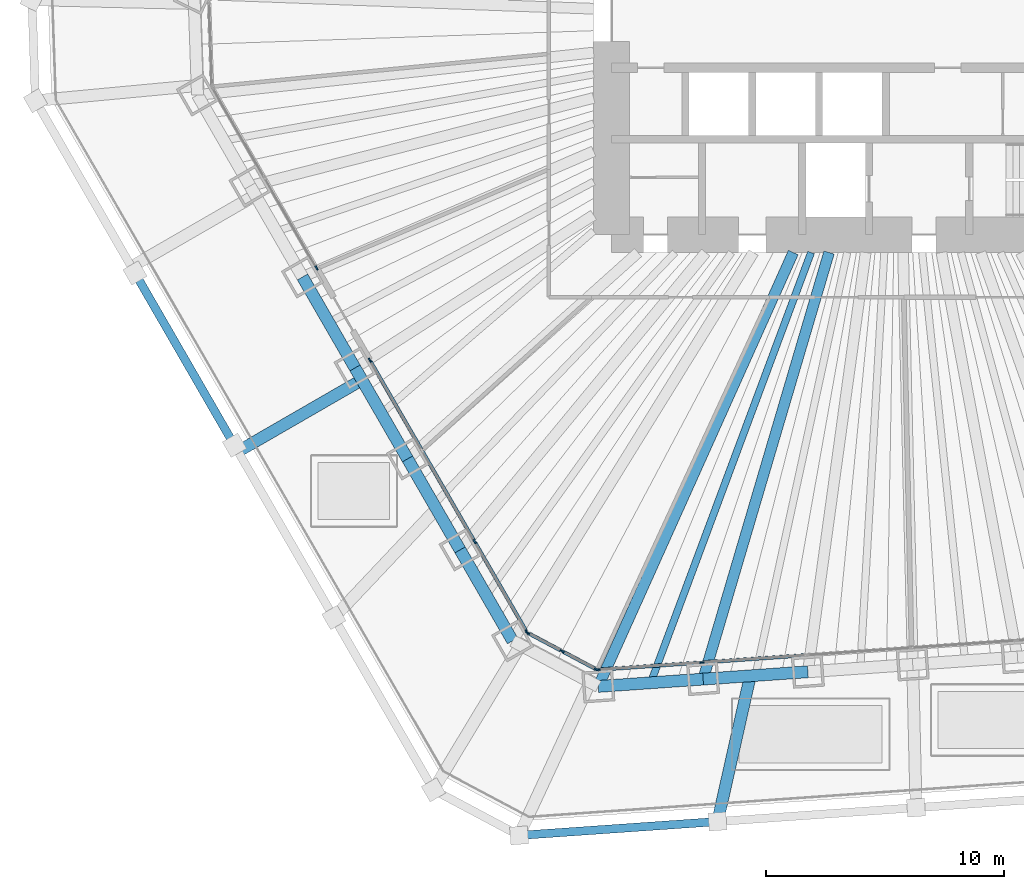
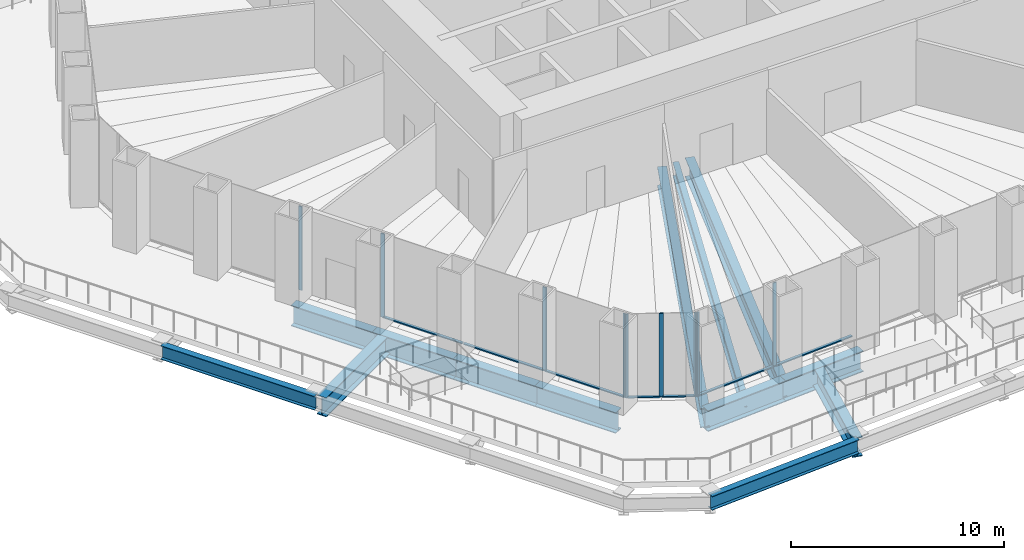
# One storey, part 2 of 20: 16 members, 13 beams, 4 elements without a shape of their own.
"""IFC4 building model written with IfcOpenShell, lengths in metres."""

from ifc_helpers import new_model, si_unit, direction, frame, origin, origin_2d, place, context, subcontext, project, spatial, rectangle, i_section, extrude, material, material_profile, profile_set, type_object, element, aggregate, save


model = new_model("IFC4")

# Units and contexts
model_context = context("Model", 3, precision=1e-05, world=origin(), true_north=direction((0.0, 1.0)))
body_context = subcontext(model_context, "Body", "Model", "MODEL_VIEW")
ifc_project = project(units=[si_unit("LENGTHUNIT", "METRE"), si_unit("AREAUNIT", "SQUARE_METRE"), si_unit("VOLUMEUNIT", "CUBIC_METRE"), si_unit("PLANEANGLEUNIT", "RADIAN"), si_unit("MASSUNIT", "GRAM", prefix="KILO")], contexts=[model_context])

# Site, building, storey
site_placement = place(None, origin())
site = spatial("IfcSite", under=ifc_project, at=site_placement, CompositionType="ELEMENT")
building_placement = place(site_placement, origin())
building = spatial("IfcBuilding", under=site, at=building_placement, Name="Qingtian Harvest Tower", CompositionType="ELEMENT")
storey_placement = place(building_placement, frame((0.0, 0.0, 17.0)))
storey = spatial("IfcBuildingStorey", under=building, at=storey_placement, Name="L03", CompositionType="ELEMENT", Elevation=17.0)

# Beams
ifc_material_1 = material(Name="Steel SM570MC", Category="steel")
ifc_material_profile_1 = material_profile(ifc_material_1, i_section(OverallWidth=0.449951171875, OverallDepth=1.10009765625, WebThickness=0.02197265625, FlangeThickness=0.044921875, at=origin_2d()), Name="H1100x450x22x45")
ifc_profile_set_1 = profile_set([ifc_material_profile_1], Name="Steel SM570MC")
beam_type_1 = type_object("IfcBeamType", Name="Corner floor beam FB8 H1100x450x22x45", PredefinedType="BEAM", material=ifc_profile_set_1)
beam_1_placement = place(storey_placement, frame((-12.552734375, -27.943603515625, -0.85009765625), z_axis=(0.409769605538, 0.912189054077, 0.0), x_axis=(-0.912189054077, 0.409769605538, 0.0)))
element("IfcBeam", 1, at=beam_1_placement, inside=storey, type_object=beam_type_1, Name="Floor beam FB8 S6", PredefinedType="BEAM", context=body_context, shape_type="SweptSolid", body=[
    extrude(i_section(OverallWidth=0.449951171875, OverallDepth=1.10009765625, WebThickness=0.02197265625, FlangeThickness=0.044921875, at=origin_2d()), origin(), (0.0, 0.0, 1.0), 19.945068359375),
])
ifc_material_2 = material(Name="Steel SM570MC", Category="steel")
ifc_material_profile_2 = material_profile(ifc_material_2, i_section(OverallWidth=0.449951171875, OverallDepth=1.10009765625, WebThickness=0.02197265625, FlangeThickness=0.044921875, at=origin_2d()), Name="H1100x450x22x45")
ifc_profile_set_2 = profile_set([ifc_material_profile_2], Name="Steel SM570MC")
beam_type_2 = type_object("IfcBeamType", Name="Floor beam FB1 H1100x450x22x45", PredefinedType="BEAM", material=ifc_profile_set_2)
beam_2_placement = place(storey_placement, frame((-8.158935546875, -27.636474609375, -0.85009765625), z_axis=(0.283142824758, 0.95907775534, 0.0), x_axis=(-0.95907775534, 0.283142824758, 0.0)))
element("IfcBeam", 2, at=beam_2_placement, inside=storey, type_object=beam_type_2, Name="Floor beam FB1 S5", PredefinedType="BEAM", context=body_context, shape_type="SweptSolid", body=[
    extrude(i_section(OverallWidth=0.449951171875, OverallDepth=1.10009765625, WebThickness=0.02197265625, FlangeThickness=0.044921875, at=origin_2d()), origin(), (0.0, 0.0, 1.0), 18.649658203125),
])
ifc_material_3 = material(Name="Steel SM570MC", Category="steel")
ifc_material_profile_3 = material_profile(ifc_material_3, i_section(OverallWidth=0.5, OverallDepth=1.10009765625, WebThickness=0.02490234375, FlangeThickness=0.050048828125, at=origin_2d()), Name="H1100x500x25x50")
ifc_profile_set_3 = profile_set([ifc_material_profile_3], Name="Steel SM570MC")
beam_type_3 = type_object("IfcBeamType", Name="Floor beam FB6 H1100x500x25x50", PredefinedType="BEAM", material=ifc_profile_set_3)
beam_3_placement = place(storey_placement, frame((-7.552978515625, -33.608642578125, -0.85009765625), z_axis=(0.219270091225, 0.975664197916, 0.0), x_axis=(-0.975664197916, 0.219270091225, 0.0)))
element("IfcBeam", 3, at=beam_3_placement, inside=storey, type_object=beam_type_3, Name="Podium floor beam FB6 S3", PredefinedType="BEAM", context=body_context, shape_type="SweptSolid", body=[
    extrude(i_section(OverallWidth=0.5, OverallDepth=1.10009765625, WebThickness=0.02490234375, FlangeThickness=0.050048828125, at=origin_2d()), origin(), (0.0, 0.0, 1.0), 6.262939453125),
])
beam_4_placement = place(storey_placement, frame((-27.66015625, -18.091064453125, -0.85009765625), z_axis=(0.866020924479, 0.500007758305, 0.0), x_axis=(-0.500007758305, 0.866020924479, 0.0)))
element("IfcBeam", 4, at=beam_4_placement, inside=storey, type_object=beam_type_3, Name="Podium floor beam FB6 SW2", PredefinedType="BEAM", context=body_context, shape_type="SweptSolid", body=[
    extrude(i_section(OverallWidth=0.5, OverallDepth=1.10009765625, WebThickness=0.02490234375, FlangeThickness=0.050048828125, at=origin_2d()), origin(), (0.0, 0.0, 1.0), 6.0),
])
ifc_material_4 = material(Name="Steel SN490B", Category="steel")
ifc_material_profile_4 = material_profile(ifc_material_4, i_section(OverallWidth=0.300048828125, OverallDepth=0.800048828125, WebThickness=0.013916015625, FlangeThickness=0.02587890625, at=origin_2d()), Name="H800x300x14x26")
ifc_profile_set_4 = profile_set([ifc_material_profile_4], Name="Steel SN490B")
beam_type_4 = type_object("IfcBeamType", Name="Floor joist J1 H800x300x14x26", PredefinedType="JOIST", material=ifc_profile_set_4)
beam_5_placement = place(storey_placement, frame((-10.35595703125, -27.7900390625, -0.699951171875), z_axis=(0.349193741063, 0.937050548905, 0.0), x_axis=(-0.937050548905, 0.349193741063, 0.0)))
element("IfcBeam", 5, at=beam_5_placement, inside=storey, type_object=beam_type_4, Name="Floor joist J1 S5", PredefinedType="JOIST", context=body_context, shape_type="SweptSolid", body=[
    extrude(i_section(OverallWidth=0.300048828125, OverallDepth=0.800048828125, WebThickness=0.013916015625, FlangeThickness=0.02587890625, at=origin_2d()), origin(), (0.0, 0.0, 1.0), 19.251953125),
])

# Curtain wall, members
ifc_material_5 = material(Name="Bronze-anodised aluminium curtain wall", Category="aluminium")
curtain_wall_type = type_object("IfcCurtainWallType", Name="Curtain wall CW2 farm reception", PredefinedType="USERDEFINED", material=ifc_material_5)
curtain_wall_1_placement = place(storey_placement, origin())
curtain_wall_1 = element("IfcCurtainWall", 6, at=curtain_wall_1_placement, inside=storey, type_object=curtain_wall_type, Name="Curtain wall CW2 L03 S0-5", ObjectType="RECESSED CURTAIN WALL", PredefinedType="USERDEFINED")
ifc_material_6 = material(Name="Bronze-anodised aluminium mullion", Category="aluminium")
ifc_material_profile_5 = material_profile(ifc_material_6, rectangle(XDim=0.06494140625, YDim=0.199951171875, at=origin_2d()), Name="AL 65x200")
ifc_profile_set_5 = profile_set([ifc_material_profile_5], Name="Bronze-anodised aluminium mullion")
member_type_1 = type_object("IfcMemberType", Name="Mullion CWM 65x200", PredefinedType="MULLION", material=ifc_profile_set_5)
member_1_placement = place(storey_placement, frame((-8.207763671875, -26.938232421875, 0.0), z_axis=(0.0, 0.0, 1.0), x_axis=(0.069756473744, -0.99756405026, 0.0)))
member_1 = element("IfcMember", 7, at=member_1_placement, type_object=member_type_1, Name="CW2 mullion 6", PredefinedType="MULLION", context=body_context, shape_type="SweptSolid", body=[
    extrude(rectangle(XDim=0.06494140625, YDim=0.199951171875, at=origin_2d()), origin(), (0.0, 0.0, 1.0), 4.800048828125),
])
member_2_placement = place(storey_placement, frame((-12.569091796875, -27.2431640625, 0.0), z_axis=(0.0, 0.0, 1.0), x_axis=(0.069756473744, -0.99756405026, 0.0)))
member_2 = element("IfcMember", 8, at=member_2_placement, type_object=member_type_1, Name="CW2 mullion 7", PredefinedType="MULLION", context=body_context, shape_type="SweptSolid", body=[
    extrude(rectangle(XDim=0.06494140625, YDim=0.199951171875, at=origin_2d()), origin(), (0.0, 0.0, 1.0), 4.800048828125),
])

curtain_wall_2_placement = place(storey_placement, origin())
curtain_wall_2 = element("IfcCurtainWall", 9, at=curtain_wall_2_placement, inside=storey, type_object=curtain_wall_type, Name="Curtain wall CW2 L03 SC", ObjectType="RECESSED CURTAIN WALL", PredefinedType="USERDEFINED")
member_3_placement = place(storey_placement, frame((-12.63037109375, -27.230224609375, 0.0), z_axis=(0.0, 0.0, 1.0), x_axis=(-0.469471562786, -0.882947592859, 0.0)))
member_3 = element("IfcMember", 10, at=member_3_placement, type_object=member_type_1, Name="CW2 mullion 1", PredefinedType="MULLION", context=body_context, shape_type="SweptSolid", body=[
    extrude(rectangle(XDim=0.06494140625, YDim=0.199951171875, at=origin_2d()), origin(), (0.0, 0.0, 1.0), 4.800048828125),
])
member_4_placement = place(storey_placement, frame((-14.0712890625, -26.464111328125, 0.0), z_axis=(0.0, 0.0, 1.0), x_axis=(-0.469471562786, -0.882947592859, 0.0)))
member_4 = element("IfcMember", 11, at=member_4_placement, type_object=member_type_1, Name="CW2 mullion 2", PredefinedType="MULLION", context=body_context, shape_type="SweptSolid", body=[
    extrude(rectangle(XDim=0.06494140625, YDim=0.199951171875, at=origin_2d()), origin(), (0.0, 0.0, 1.0), 4.800048828125),
])
member_5_placement = place(storey_placement, frame((-15.511962890625, -25.697998046875, 0.0), z_axis=(0.0, 0.0, 1.0), x_axis=(-0.469471562786, -0.882947592859, 0.0)))
member_5 = element("IfcMember", 12, at=member_5_placement, type_object=member_type_1, Name="CW2 mullion 3", PredefinedType="MULLION", context=body_context, shape_type="SweptSolid", body=[
    extrude(rectangle(XDim=0.06494140625, YDim=0.199951171875, at=origin_2d()), origin(), (0.0, 0.0, 1.0), 4.800048828125),
])

curtain_wall_3_placement = place(storey_placement, origin())
curtain_wall_3 = element("IfcCurtainWall", 13, at=curtain_wall_3_placement, inside=storey, type_object=curtain_wall_type, Name="Curtain wall CW2 L03 SW0-2", ObjectType="RECESSED CURTAIN WALL", PredefinedType="USERDEFINED")
member_6_placement = place(storey_placement, frame((-15.556884765625, -25.654541015625, 0.0), z_axis=(0.0, 0.0, 1.0), x_axis=(-0.866025403784, -0.5, 0.0)))
member_6 = element("IfcMember", 14, at=member_6_placement, type_object=member_type_1, Name="CW2 mullion 1", PredefinedType="MULLION", context=body_context, shape_type="SweptSolid", body=[
    extrude(rectangle(XDim=0.06494140625, YDim=0.199951171875, at=origin_2d()), origin(), (0.0, 0.0, 1.0), 4.800048828125),
])
member_7_placement = place(storey_placement, frame((-17.742919921875, -21.8681640625, 0.0), z_axis=(0.0, 0.0, 1.0), x_axis=(-0.866025403784, -0.5, 0.0)))
member_7 = element("IfcMember", 15, at=member_7_placement, type_object=member_type_1, Name="CW2 mullion 2", PredefinedType="MULLION", context=body_context, shape_type="SweptSolid", body=[
    extrude(rectangle(XDim=0.06494140625, YDim=0.199951171875, at=origin_2d()), origin(), (0.0, 0.0, 1.0), 4.800048828125),
])
member_8_placement = place(storey_placement, frame((-22.13134765625, -14.267333984375, 0.0), z_axis=(0.0, 0.0, 1.0), x_axis=(-0.866025403784, -0.5, 0.0)))
member_8 = element("IfcMember", 16, at=member_8_placement, type_object=member_type_1, Name="CW2 mullion 4", PredefinedType="MULLION", context=body_context, shape_type="SweptSolid", body=[
    extrude(rectangle(XDim=0.06494140625, YDim=0.199951171875, at=origin_2d()), origin(), (0.0, 0.0, 1.0), 4.800048828125),
])

# Curtain wall, member
curtain_wall_4_placement = place(storey_placement, origin())
curtain_wall_4 = element("IfcCurtainWall", 17, at=curtain_wall_4_placement, inside=storey, type_object=curtain_wall_type, Name="Curtain wall CW2 L03 SW4-5", ObjectType="RECESSED CURTAIN WALL", PredefinedType="USERDEFINED")
member_9_placement = place(storey_placement, frame((-24.3662109375, -10.396484375, 0.0), z_axis=(0.0, 0.0, 1.0), x_axis=(-0.866025403784, -0.5, 0.0)))
member_9 = element("IfcMember", 18, at=member_9_placement, type_object=member_type_1, Name="CW2 mullion 1", PredefinedType="MULLION", context=body_context, shape_type="SweptSolid", body=[
    extrude(rectangle(XDim=0.06494140625, YDim=0.199951171875, at=origin_2d()), origin(), (0.0, 0.0, 1.0), 4.800048828125),
])
aggregate(curtain_wall_4, [member_9])

# Beams
ifc_material_7 = material(Name="Steel SN490B", Category="steel")
ifc_material_profile_6 = material_profile(ifc_material_7, i_section(OverallWidth=0.35009765625, OverallDepth=0.800048828125, WebThickness=0.01611328125, FlangeThickness=0.028076171875, at=origin_2d()), Name="H800x350x16x28")
ifc_profile_set_6 = profile_set([ifc_material_profile_6], Name="Steel SN490B")
beam_type_5 = type_object("IfcBeamType", Name="Podium beam PB1 H800x350x16x28", PredefinedType="BEAM", material=ifc_profile_set_6)
beam_6_placement = place(storey_placement, frame((-7.552978515625, -33.608642578125, -0.699951171875), z_axis=(-0.997562798497, -0.06977437248, 0.0), x_axis=(0.06977437248, -0.997562798497, 0.0)))
element("IfcBeam", 19, at=beam_6_placement, inside=storey, type_object=beam_type_5, Name="Podium edge beam PB1 S3", PredefinedType="BEAM", context=body_context, shape_type="SweptSolid", body=[
    extrude(i_section(OverallWidth=0.35009765625, OverallDepth=0.800048828125, WebThickness=0.01611328125, FlangeThickness=0.028076171875, at=origin_2d()), origin(), (0.0, 0.0, 1.0), 8.341552734375),
])
beam_7_placement = place(storey_placement, frame((-27.810302734375, -17.831298828125, -0.699951171875), z_axis=(-0.499991838624, 0.866030115706, 0.0), x_axis=(-0.866030115706, -0.499991838624, 0.0)))
element("IfcBeam", 20, at=beam_7_placement, inside=storey, type_object=beam_type_5, Name="Podium edge beam PB1 SW2", PredefinedType="BEAM", context=body_context, shape_type="SweptSolid", body=[
    extrude(i_section(OverallWidth=0.35009765625, OverallDepth=0.800048828125, WebThickness=0.01611328125, FlangeThickness=0.028076171875, at=origin_2d()), origin(), (0.0, 0.0, 1.0), 8.342041015625),
])
ifc_material_8 = material(Name="Steel SM570MC", Category="steel")
ifc_material_profile_7 = material_profile(ifc_material_8, i_section(OverallWidth=0.5, OverallDepth=1.199951171875, WebThickness=0.02490234375, FlangeThickness=0.050048828125, at=origin_2d()), Name="H1200x500x25x50")
ifc_profile_set_7 = profile_set([ifc_material_profile_7], Name="Steel SM570MC")
beam_type_6 = type_object("IfcBeamType", Name="Spandrel beam SB1 H1200x500x25x50", PredefinedType="SPANDREL", material=ifc_profile_set_7)
for number, where, z_axis, x_axis, name in (
    (21, (-3.76513671875, -27.3291015625, -0.89990234375), (-0.997562016486, -0.069785551967, 0.0), (0.069785551967, -0.997562016486, 0.0), "Spandrel SB1 S4"),
    (22, (-8.158935546875, -27.636474609375, -0.89990234375), (-0.997565873714, -0.069730392239, 0.0), (0.069730392239, -0.997565873714, 0.0), "Spandrel SB1 S5"),
    (23, (-16.14697265625, -26.03271484375, -0.89990234375), (-0.50001992892, 0.866013897511, 0.0), (-0.866013897511, -0.50001992892, 0.0), "Spandrel SB1 SW0"),
):
    element("IfcBeam", number, at=place(storey_placement, frame(where, z_axis=z_axis, x_axis=x_axis)), inside=storey, type_object=beam_type_6, Name=name, PredefinedType="SPANDREL", context=body_context, shape_type="SweptSolid", body=[
        extrude(i_section(OverallWidth=0.5, OverallDepth=1.199951171875, WebThickness=0.02490234375, FlangeThickness=0.050048828125, at=origin_2d()), origin(), (0.0, 0.0, 1.0), 4.404541015625),
    ])
beam_8_placement = place(storey_placement, frame((-18.349365234375, -22.21826171875, -0.89990234375), z_axis=(-0.499954356739, 0.86605175433, 0.0), x_axis=(-0.86605175433, -0.499954356739, 0.0)))
element("IfcBeam", 24, at=beam_8_placement, inside=storey, type_object=beam_type_6, Name="Spandrel SB1 SW1", PredefinedType="SPANDREL", context=body_context, shape_type="SweptSolid", body=[
    extrude(i_section(OverallWidth=0.5, OverallDepth=1.199951171875, WebThickness=0.02490234375, FlangeThickness=0.050048828125, at=origin_2d()), origin(), (0.0, 0.0, 1.0), 4.40478515625),
])
for number, where, z_axis, x_axis, name in (
    (25, (-20.551513671875, -18.403564453125, -0.89990234375), (-0.50001992892, 0.866013897511, 0.0), (-0.866013897511, -0.50001992892, 0.0), "Spandrel SB1 SW2"),
    (26, (-22.75390625, -14.589111328125, -0.89990234375), (-0.499978356969, 0.866037899034, 0.0), (-0.866037899034, -0.499978356969, 0.0), "Spandrel SB1 SW3"),
):
    element("IfcBeam", number, at=place(storey_placement, frame(where, z_axis=z_axis, x_axis=x_axis)), inside=storey, type_object=beam_type_6, Name=name, PredefinedType="SPANDREL", context=body_context, shape_type="SweptSolid", body=[
        extrude(i_section(OverallWidth=0.5, OverallDepth=1.199951171875, WebThickness=0.02490234375, FlangeThickness=0.050048828125, at=origin_2d()), origin(), (0.0, 0.0, 1.0), 4.404541015625),
    ])

# Member
ifc_material_9 = material(Name="Bronze-anodised aluminium transom", Category="aluminium")
ifc_material_profile_8 = material_profile(ifc_material_9, rectangle(XDim=0.14990234375, YDim=0.06494140625, at=origin_2d()), Name="AL 65x150")
ifc_profile_set_8 = profile_set([ifc_material_profile_8], Name="Bronze-anodised aluminium transom")
member_type_2 = type_object("IfcMemberType", Name="Transom CWT 65x150", PredefinedType="USERDEFINED", material=ifc_profile_set_8)
member_10_placement = place(storey_placement, frame((-3.84619140625, -26.63330078125, 0.032470703125), z_axis=(-0.997567737508, -0.069703723594, 0.0), x_axis=(0.069703723594, -0.997567737508, 0.0)))
member_10 = element("IfcMember", 27, at=member_10_placement, type_object=member_type_2, Name="CW2 transom 5.1", ObjectType="TRANSOM", PredefinedType="USERDEFINED", context=body_context, shape_type="SweptSolid", body=[
    extrude(rectangle(XDim=0.14990234375, YDim=0.06494140625, at=origin_2d()), origin(), (0.0, 0.0, 1.0), 4.339599609375),
])

member_11_placement = place(storey_placement, frame((-8.240234375, -26.9404296875, 0.032470703125), z_axis=(-0.997562637827, -0.069776669536, 0.0), x_axis=(0.069776669536, -0.997562637827, 0.0)))
member_11 = element("IfcMember", 28, at=member_11_placement, type_object=member_type_2, Name="CW2 transom 6.1", ObjectType="TRANSOM", PredefinedType="USERDEFINED", context=body_context, shape_type="SweptSolid", body=[
    extrude(rectangle(XDim=0.14990234375, YDim=0.06494140625, at=origin_2d()), origin(), (0.0, 0.0, 1.0), 4.30712890625),
])

aggregate(curtain_wall_1, [member_1, member_2, member_10, member_11])

member_12_placement = place(storey_placement, frame((-12.658935546875, -27.21484375, 0.032470703125), z_axis=(-0.882960338349, 0.46944759122, 0.0), x_axis=(-0.46944759122, -0.882960338349, 0.0)))
member_12 = element("IfcMember", 29, at=member_12_placement, type_object=member_type_2, Name="CW2 transom 1.1", ObjectType="TRANSOM", PredefinedType="USERDEFINED", context=body_context, shape_type="SweptSolid", body=[
    extrude(rectangle(XDim=0.14990234375, YDim=0.06494140625, at=origin_2d()), origin(), (0.0, 0.0, 1.0), 1.56689453125),
])

member_13_placement = place(storey_placement, frame((-14.099853515625, -26.44873046875, 0.032470703125), z_axis=(-0.882960338349, 0.46944759122, 0.0), x_axis=(-0.46944759122, -0.882960338349, 0.0)))
member_13 = element("IfcMember", 30, at=member_13_placement, type_object=member_type_2, Name="CW2 transom 2.1", ObjectType="TRANSOM", PredefinedType="USERDEFINED", context=body_context, shape_type="SweptSolid", body=[
    extrude(rectangle(XDim=0.14990234375, YDim=0.06494140625, at=origin_2d()), origin(), (0.0, 0.0, 1.0), 1.56689453125),
])

aggregate(curtain_wall_2, [member_3, member_4, member_5, member_12, member_13])

member_14_placement = place(storey_placement, frame((-15.5732421875, -25.62646484375, 0.032470703125), z_axis=(-0.499985768833, 0.866033619997, 0.0), x_axis=(-0.866033619997, -0.499985768833, 0.0)))
member_14 = element("IfcMember", 31, at=member_14_placement, type_object=member_type_2, Name="CW2 transom 1.1", ObjectType="TRANSOM", PredefinedType="USERDEFINED", context=body_context, shape_type="SweptSolid", body=[
    extrude(rectangle(XDim=0.14990234375, YDim=0.06494140625, at=origin_2d()), origin(), (0.0, 0.0, 1.0), 4.307373046875),
])

member_15_placement = place(storey_placement, frame((-17.75927734375, -21.840087890625, 0.032470703125), z_axis=(-0.500011390128, 0.866018827591, 0.0), x_axis=(-0.866018827591, -0.500011390128, 0.0)))
member_15 = element("IfcMember", 32, at=member_15_placement, type_object=member_type_2, Name="CW2 transom 2.1", ObjectType="TRANSOM", PredefinedType="USERDEFINED", context=body_context, shape_type="SweptSolid", body=[
    extrude(rectangle(XDim=0.14990234375, YDim=0.06494140625, at=origin_2d()), origin(), (0.0, 0.0, 1.0), 4.33984375),
])

member_16_placement = place(storey_placement, frame((-19.961669921875, -18.025634765625, 0.032470703125), z_axis=(-0.499985768833, 0.866033619997, 0.0), x_axis=(-0.866033619997, -0.499985768833, 0.0)))
member_16 = element("IfcMember", 33, at=member_16_placement, type_object=member_type_2, Name="CW2 transom 3.1", ObjectType="TRANSOM", PredefinedType="USERDEFINED", context=body_context, shape_type="SweptSolid", body=[
    extrude(rectangle(XDim=0.14990234375, YDim=0.06494140625, at=origin_2d()), origin(), (0.0, 0.0, 1.0), 4.307373046875),
])

aggregate(curtain_wall_3, [member_6, member_7, member_8, member_14, member_15, member_16])

save(model, "model.ifc")
